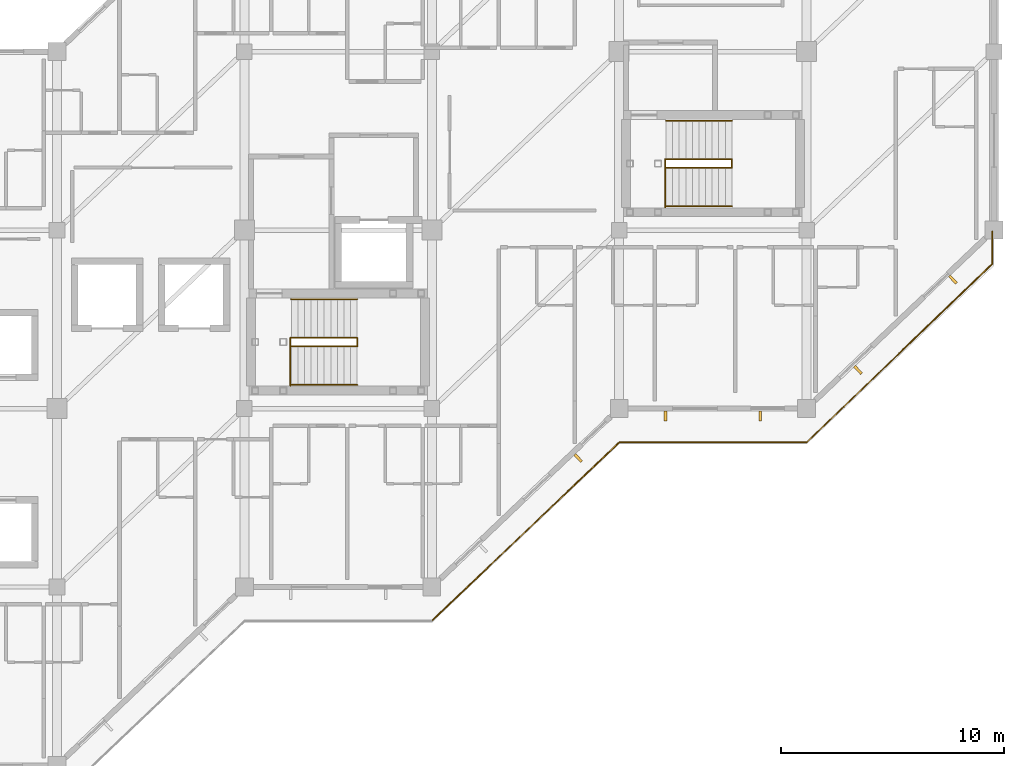
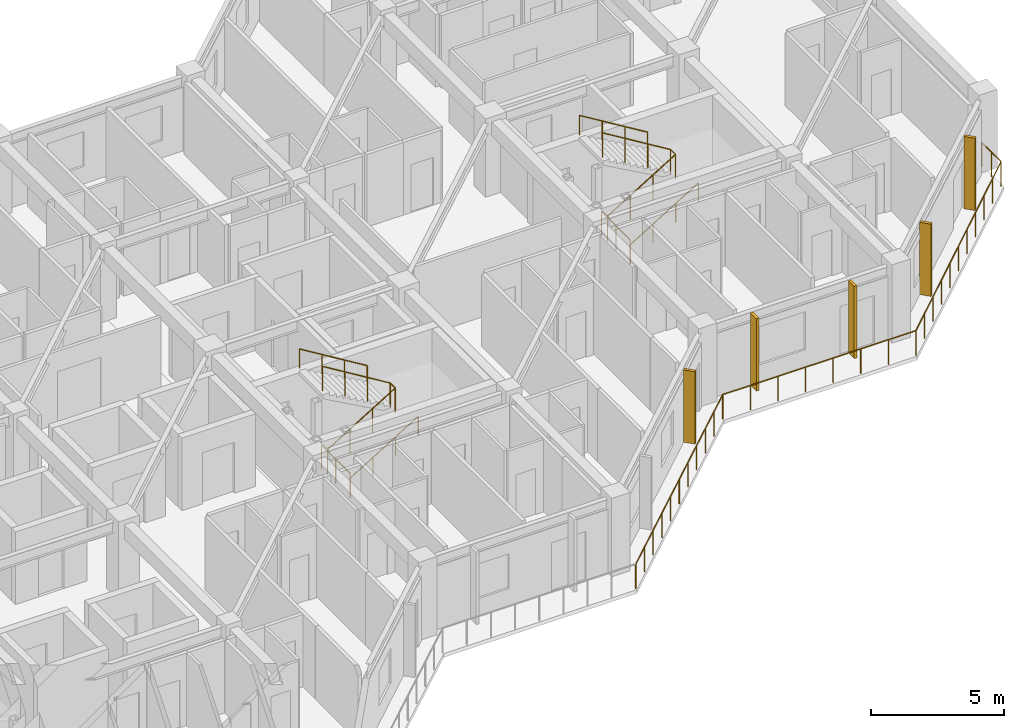
# One storey, part 17 of 17: 16 railings, 5 shading devices.
"""IFC4 building model written with IfcOpenShell, lengths in metres."""

import ifcopenshell
import ifcopenshell.guid

model = None  # the IFC model being written
_history = None  # IfcOwnerHistory: only IFC2X3 demands one
_inside = {}  # id of a spatial element -> (the spatial element, [elements in it])
_under = {}  # id of a project, library or spatial element -> (it, [spatial elements below it])
_declared = {}  # id of a project -> (the project, [libraries it declares])
_typed = {}  # id of a type object -> (the type object, [elements of that type])
_made_of = {}  # id of a material, layer set ... -> (it, [elements and type objects made of it])


def new_model(schema):
    """Start an empty IFC model of exactly this schema.

    Asked for "IFC4X3", IfcOpenShell would pick the latest addendum, in which some entities
    have other attributes; the version numbers below select the first issue.
    IFC2X3 requires an IfcOwnerHistory on every rooted entity: one is made here for all.
    """
    global model, _history
    if schema == "IFC4X3":
        model = ifcopenshell.file(schema_version=(4, 3, 0, 0))
    else:
        model = ifcopenshell.file(schema=schema)
    _inside.clear()
    _under.clear()
    _declared.clear()
    _typed.clear()
    _made_of.clear()
    _history = None
    if model.schema == "IFC2X3":
        org = make("IfcOrganization", Name="unknown")
        user = make(
            "IfcPersonAndOrganization",
            ThePerson=make("IfcPerson", FamilyName="unknown"),
            TheOrganization=org,
        )
        app = make(
            "IfcApplication",
            ApplicationDeveloper=org,
            Version="unknown",
            ApplicationFullName="unknown",
            ApplicationIdentifier="unknown",
        )
        _history = make(
            "IfcOwnerHistory",
            OwningUser=user,
            OwningApplication=app,
            ChangeAction="ADDED",
            CreationDate=0,
        )
    return model


def make(cls, **values):
    """One entity of the class cls with the attributes given. An attribute that is None is left unset."""
    return model.create_entity(
        cls, **{name: value for name, value in values.items() if value is not None}
    )


def rooted(cls, **values):
    """An entity with a GlobalId (a new one), such as an element, a storey or a relation."""
    return make(cls, GlobalId=ifcopenshell.guid.new(), OwnerHistory=_history, **values)


def si_unit(unit_type, name, prefix=None):
    """IfcSIUnit, for example si_unit("LENGTHUNIT", "METRE", prefix="MILLI")."""
    return make("IfcSIUnit", UnitType=unit_type, Prefix=prefix, Name=name)


def assignment(units):
    """IfcUnitAssignment: the units of a project."""
    return None if units is None else make("IfcUnitAssignment", Units=units)


def point(xyz):
    """IfcCartesianPoint."""
    return None if xyz is None else make("IfcCartesianPoint", Coordinates=xyz)


def direction(xyz):
    """IfcDirection."""
    return None if xyz is None else make("IfcDirection", DirectionRatios=xyz)


def frame(location, z_axis=None, x_axis=None):
    """IfcAxis2Placement3D, a coordinate frame: its origin and axes. An axis left out is left unset."""
    return make(
        "IfcAxis2Placement3D",
        Location=point(location),
        Axis=direction(z_axis),
        RefDirection=direction(x_axis),
    )


def frame_2d(location, x_axis=None):
    """IfcAxis2Placement2D, a coordinate frame in the plane: its origin and x axis."""
    return make(
        "IfcAxis2Placement2D", Location=point(location), RefDirection=direction(x_axis)
    )


def origin():
    """The frame at (0, 0, 0) with its axes left unset."""
    return frame((0.0, 0.0, 0.0))


def origin_2d():
    """The frame at (0, 0) in the plane with its x axis left unset."""
    return frame_2d((0.0, 0.0))


def place(relative_to, where):
    """IfcLocalPlacement: puts the frame where relative to a parent placement (None: the world)."""
    return make(
        "IfcLocalPlacement", PlacementRelTo=relative_to, RelativePlacement=where
    )


def context(
    kind, dimensions, precision=None, world=None, true_north=None, identifier=None
):
    """IfcGeometricRepresentationContext, for example the 3D "Model" context."""
    return make(
        "IfcGeometricRepresentationContext",
        ContextIdentifier=identifier,
        ContextType=kind,
        CoordinateSpaceDimension=dimensions,
        Precision=precision,
        WorldCoordinateSystem=world,
        TrueNorth=true_north,
    )


def subcontext(parent, identifier, kind, view, scale=None):
    """IfcGeometricRepresentationSubContext, for example "Body" below "Model"."""
    return make(
        "IfcGeometricRepresentationSubContext",
        ContextIdentifier=identifier,
        ContextType=kind,
        ParentContext=parent,
        TargetScale=scale,
        TargetView=view,
    )


def project(units=None, contexts=None):
    """IfcProject with its units and contexts."""
    return rooted(
        "IfcProject",
        Name="project",
        RepresentationContexts=contexts,
        UnitsInContext=assignment(units),
    )


def spatial(cls, under=None, at=None, **own):
    """A site, building, storey or space (cls), placed at a placement, below another one or the project."""
    s = rooted(cls, ObjectPlacement=at, **own)
    if under is not None:
        _under.setdefault(under.id(), (under, []))[1].append(s)
    return s


def profile(cls, at=None, kind="AREA", **sizes):
    """A parametric profile (cls). Its sizes go by their IFC names, for example OverallWidth=200.0."""
    return make(cls, ProfileType=kind, Position=at, **sizes)


def rectangle(**sizes):
    """IfcRectangleProfileDef."""
    return profile("IfcRectangleProfileDef", **sizes)


def circle(**sizes):
    """IfcCircleProfileDef."""
    return profile("IfcCircleProfileDef", **sizes)


def extrude(swept, where, along, depth):
    """IfcExtrudedAreaSolid: the profile swept, set in the frame where, extruded along a direction by depth."""
    return make(
        "IfcExtrudedAreaSolid",
        SweptArea=swept,
        Position=where,
        ExtrudedDirection=direction(along),
        Depth=depth,
    )


def shape(context_of_items, identifier, shape_type, items):
    """IfcShapeRepresentation: the items that make up one representation, for example the "Body"."""
    return make(
        "IfcShapeRepresentation",
        ContextOfItems=context_of_items,
        RepresentationIdentifier=identifier,
        RepresentationType=shape_type,
        Items=items,
    )


def material(Name=None, Category=None):
    """IfcMaterial."""
    return make("IfcMaterial", Name=Name, Category=Category)


def layer(
    of_material, thickness, ventilated=None, Name=None, Category=None, Priority=None
):
    """IfcMaterialLayer: one layer of a wall or slab, of a material (None: an air gap)."""
    return make(
        "IfcMaterialLayer",
        Material=of_material,
        LayerThickness=thickness,
        IsVentilated=ventilated,
        Name=Name,
        Category=Category,
        Priority=Priority,
    )


def layer_set(layers, Name=None):
    """IfcMaterialLayerSet."""
    return make("IfcMaterialLayerSet", MaterialLayers=layers, LayerSetName=Name)


def made_of(thing, what):
    """Note that an element or type object is made of a material, layer set ...; save() writes the relation."""
    if what is not None:
        _made_of.setdefault(what.id(), (what, []))[1].append(thing)
    return thing


def type_object(cls, material=None, **own):
    """A type object (cls), such as IfcWallType, which elements share."""
    return made_of(rooted(cls, **own), material)


def element(
    cls,
    number,
    at=None,
    inside=None,
    cuts=None,
    type_object=None,
    material=None,
    context=None,
    identifier="Body",
    shape_type=None,
    held_by="IfcProductDefinitionShape",
    body=None,
    shapes=None,
    **own,
):
    """One element of the class cls, such as IfcWall. Its Tag is "e" and its number.

    at: its placement. inside: the storey or other place that contains it. cuts: it is an
    opening in that element (IfcRelVoidsElement). A single representation is given by context,
    identifier, shape_type and body (its items); several are given by shapes. held_by: the class
    of the entity that holds the representations. save() writes the other relations.
    """
    e = rooted(cls, Tag="e%d" % number, ObjectPlacement=at, **own)
    if body is not None:
        shapes = [shape(context, identifier, shape_type, body)]
    if shapes is not None:
        e.Representation = make(held_by, Representations=shapes)
    if inside is not None:
        _inside.setdefault(inside.id(), (inside, []))[1].append(e)
    if cuts is not None:
        rooted(
            "IfcRelVoidsElement", RelatingBuildingElement=cuts, RelatedOpeningElement=e
        )
    if type_object is not None:
        _typed.setdefault(type_object.id(), (type_object, []))[1].append(e)
    return made_of(e, material)


def aggregate(whole, parts):
    """IfcRelAggregates: a whole, such as a stair, and the parts it consists of."""
    return rooted("IfcRelAggregates", RelatingObject=whole, RelatedObjects=parts)


def save(model, path):
    """Write the relations noted so far, then the file.

    IfcRelAggregates (storeys below a building ...), IfcRelContainedInSpatialStructure (elements
    in a storey), IfcRelDefinesByType, IfcRelAssociatesMaterial and IfcRelDeclares: one each for
    every whole, place, type object, material and project.
    """
    for whole, parts in _under.values():
        aggregate(whole, parts)
    for where, things in _inside.values():
        rooted(
            "IfcRelContainedInSpatialStructure",
            RelatedElements=things,
            RelatingStructure=where,
        )
    for kind, things in _typed.values():
        rooted("IfcRelDefinesByType", RelatedObjects=things, RelatingType=kind)
    for what, things in _made_of.values():
        rooted("IfcRelAssociatesMaterial", RelatedObjects=things, RelatingMaterial=what)
    for by, libraries in _declared.values():
        rooted("IfcRelDeclares", RelatingContext=by, RelatedDefinitions=libraries)
    model.write(path)


model = new_model("IFC4")

# Units and contexts
model_context = context("Model", 3, precision=1e-05, world=origin(), true_north=direction((0.0, 1.0)))
body_context = subcontext(model_context, "Body", "Model", "MODEL_VIEW")
ifc_project = project(units=[si_unit("LENGTHUNIT", "METRE"), si_unit("AREAUNIT", "SQUARE_METRE"), si_unit("VOLUMEUNIT", "CUBIC_METRE"), si_unit("PLANEANGLEUNIT", "RADIAN"), si_unit("MASSUNIT", "GRAM", prefix="KILO")], contexts=[model_context])

# Site, building, storey
site_placement = place(None, origin())
site = spatial("IfcSite", under=ifc_project, at=site_placement, CompositionType="ELEMENT")
building_placement = place(site_placement, origin())
building = spatial("IfcBuilding", under=site, at=building_placement, Name="Naruveol Harbour Congress Hotel", CompositionType="ELEMENT")
storey_placement = place(building_placement, frame((0.0, 0.0, 25.199951171875)))
storey = spatial("IfcBuildingStorey", under=building, at=storey_placement, Name="L05", CompositionType="ELEMENT", Elevation=25.199951171875)

# Railings
ifc_material_1 = material(Name="Tempered Laminated Safety Glass & Stainless Steel", Category="steel")
ifc_layer_1 = layer(ifc_material_1, 0.06005859375)
ifc_layer_set_1 = layer_set([ifc_layer_1], Name="Tempered Laminated Safety Glass & Stainless Steel")
railing_type_1 = type_object("IfcRailingType", Name="LAMINATED GLASS TERRACE BALUSTRADE 1150", PredefinedType="BALUSTRADE", material=ifc_layer_set_1)
railing_1_placement = place(storey_placement, frame((159.60009765625, 6.47998046875, 0.0)))
element("IfcRailing", 1, at=railing_1_placement, inside=storey, type_object=railing_type_1, Name="L05 Harbour balcony balustrade #84", PredefinedType="BALUSTRADE", context=body_context, shape_type="SweptSolid", body=[
    extrude(circle(Radius=0.02392578125, at=origin_2d()), frame((0.0, 0.0, 1.1259765625), z_axis=(0.724133926887, 0.689659376744, 0.0), x_axis=(-0.689659376744, 0.724133926887, 0.0)), (0.0, 0.0, 1.0), 11.599853515625),
    extrude(circle(Radius=0.02099609375, at=origin_2d()), origin(), (0.0, 0.0, 1.0), 1.101806640625),
    extrude(circle(Radius=0.02099609375, at=origin_2d()), frame((0.840087890625, 0.800048828125, 0.0)), (0.0, 0.0, 1.0), 1.101806640625),
    extrude(circle(Radius=0.02099609375, at=origin_2d()), frame((1.679931640625, 1.60009765625, 0.0)), (0.0, 0.0, 1.0), 1.101806640625),
    extrude(circle(Radius=0.02099609375, at=origin_2d()), frame((2.52001953125, 2.39990234375, 0.0)), (0.0, 0.0, 1.0), 1.101806640625),
    extrude(circle(Radius=0.02099609375, at=origin_2d()), frame((3.35986328125, 3.199951171875, 0.0)), (0.0, 0.0, 1.0), 1.101806640625),
    extrude(circle(Radius=0.02099609375, at=origin_2d()), frame((4.199951171875, 4.0, 0.0)), (0.0, 0.0, 1.0), 1.101806640625),
    extrude(circle(Radius=0.02099609375, at=origin_2d()), frame((5.0400390625, 4.800048828125, 0.0)), (0.0, 0.0, 1.0), 1.101806640625),
    extrude(circle(Radius=0.02099609375, at=origin_2d()), frame((5.8798828125, 5.60009765625, 0.0)), (0.0, 0.0, 1.0), 1.101806640625),
    extrude(circle(Radius=0.02099609375, at=origin_2d()), frame((6.719970703125, 6.39990234375, 0.0)), (0.0, 0.0, 1.0), 1.101806640625),
    extrude(circle(Radius=0.02099609375, at=origin_2d()), frame((7.559814453125, 7.199951171875, 0.0)), (0.0, 0.0, 1.0), 1.101806640625),
    extrude(circle(Radius=0.02099609375, at=origin_2d()), frame((8.39990234375, 8.0, 0.0)), (0.0, 0.0, 1.0), 1.101806640625),
])
railing_2_placement = place(storey_placement, frame((168.0, 14.47998046875, 0.0)))
element("IfcRailing", 2, at=railing_2_placement, inside=storey, type_object=railing_type_1, Name="L05 Harbour balcony balustrade #85", PredefinedType="BALUSTRADE", context=body_context, shape_type="SweptSolid", body=[
    extrude(circle(Radius=0.02392578125, at=origin_2d()), frame((0.0, 0.0, 1.1259765625), z_axis=(1.0, 0.0, 0.0), x_axis=(0.0, 1.0, 0.0)), (0.0, 0.0, 1.0), 8.39990234375),
    extrude(circle(Radius=0.02099609375, at=origin_2d()), origin(), (0.0, 0.0, 1.0), 1.101806640625),
    extrude(circle(Radius=0.02099609375, at=origin_2d()), frame((1.199951171875, 0.0, 0.0)), (0.0, 0.0, 1.0), 1.101806640625),
    extrude(circle(Radius=0.02099609375, at=origin_2d()), frame((2.39990234375, 0.0, 0.0)), (0.0, 0.0, 1.0), 1.101806640625),
    extrude(circle(Radius=0.02099609375, at=origin_2d()), frame((3.599853515625, 0.0, 0.0)), (0.0, 0.0, 1.0), 1.101806640625),
    extrude(circle(Radius=0.02099609375, at=origin_2d()), frame((4.800048828125, 0.0, 0.0)), (0.0, 0.0, 1.0), 1.101806640625),
    extrude(circle(Radius=0.02099609375, at=origin_2d()), frame((6.0, 0.0, 0.0)), (0.0, 0.0, 1.0), 1.101806640625),
    extrude(circle(Radius=0.02099609375, at=origin_2d()), frame((7.199951171875, 0.0, 0.0)), (0.0, 0.0, 1.0), 1.101806640625),
    extrude(circle(Radius=0.02099609375, at=origin_2d()), frame((8.39990234375, 0.0, 0.0)), (0.0, 0.0, 1.0), 1.101806640625),
])
railing_3_placement = place(storey_placement, frame((176.39990234375, 14.47998046875, 0.0)))
element("IfcRailing", 3, at=railing_3_placement, inside=storey, type_object=railing_type_1, Name="L05 Harbour balcony balustrade #86", PredefinedType="BALUSTRADE", context=body_context, shape_type="SweptSolid", body=[
    extrude(circle(Radius=0.02392578125, at=origin_2d()), frame((0.0, 0.0, 1.1259765625), z_axis=(0.72083591008, 0.693105757255, 0.0), x_axis=(-0.693105757255, 0.72083591008, 0.0)), (0.0, 0.0, 1.0), 11.542236328125),
    extrude(circle(Radius=0.02099609375, at=origin_2d()), origin(), (0.0, 0.0, 1.0), 1.101806640625),
    extrude(circle(Radius=0.02099609375, at=origin_2d()), frame((0.83203125, 0.800048828125, 0.0)), (0.0, 0.0, 1.0), 1.101806640625),
    extrude(circle(Radius=0.02099609375, at=origin_2d()), frame((1.6640625, 1.60009765625, 0.0)), (0.0, 0.0, 1.0), 1.101806640625),
    extrude(circle(Radius=0.02099609375, at=origin_2d()), frame((2.49609375, 2.39990234375, 0.0)), (0.0, 0.0, 1.0), 1.101806640625),
    extrude(circle(Radius=0.02099609375, at=origin_2d()), frame((3.328125, 3.199951171875, 0.0)), (0.0, 0.0, 1.0), 1.101806640625),
    extrude(circle(Radius=0.02099609375, at=origin_2d()), frame((4.16015625, 4.0, 0.0)), (0.0, 0.0, 1.0), 1.101806640625),
    extrude(circle(Radius=0.02099609375, at=origin_2d()), frame((4.991943359375, 4.800048828125, 0.0)), (0.0, 0.0, 1.0), 1.101806640625),
    extrude(circle(Radius=0.02099609375, at=origin_2d()), frame((5.823974609375, 5.60009765625, 0.0)), (0.0, 0.0, 1.0), 1.101806640625),
    extrude(circle(Radius=0.02099609375, at=origin_2d()), frame((6.656005859375, 6.39990234375, 0.0)), (0.0, 0.0, 1.0), 1.101806640625),
    extrude(circle(Radius=0.02099609375, at=origin_2d()), frame((7.488037109375, 7.199951171875, 0.0)), (0.0, 0.0, 1.0), 1.101806640625),
    extrude(circle(Radius=0.02099609375, at=origin_2d()), frame((8.320068359375, 8.0, 0.0)), (0.0, 0.0, 1.0), 1.101806640625),
])
railing_4_placement = place(storey_placement, frame((184.719970703125, 22.47998046875, 0.0)))
element("IfcRailing", 4, at=railing_4_placement, inside=storey, type_object=railing_type_1, Name="L05 Harbour balcony balustrade #87", PredefinedType="BALUSTRADE", context=body_context, shape_type="SweptSolid", body=[
    extrude(circle(Radius=0.02392578125, at=origin_2d()), frame((0.0, 0.0, 1.1259765625), z_axis=(0.0, 1.0, 0.0), x_axis=(-1.0, 0.0, 0.0)), (0.0, 0.0, 1.0), 1.4599609375),
    extrude(circle(Radius=0.02099609375, at=origin_2d()), origin(), (0.0, 0.0, 1.0), 1.101806640625),
    extrude(circle(Radius=0.02099609375, at=origin_2d()), frame((0.0, 0.72998046875, 0.0)), (0.0, 0.0, 1.0), 1.101806640625),
    extrude(circle(Radius=0.02099609375, at=origin_2d()), frame((0.0, 1.4599609375, 0.0)), (0.0, 0.0, 1.0), 1.101806640625),
])

# Shading devices
ifc_material_2 = material(Name="Precast concrete C40/50", Category="concrete")
shading_device_type = type_object("IfcShadingDeviceType", Name="PRECAST VERTICAL BRISE SOLEIL FIN 120X450", PredefinedType="JALOUSIE", material=ifc_material_2)
for number, where, z_axis, x_axis, name in (
    (5, (166.162109375, 13.780029296875, 0.0), (0.0, 0.0, 1.0), (-0.724171861437, -0.689619543736, 0.0), "Precast brise-soleil fin BS-V450 #35"),
    (6, (174.327880859375, 15.659912109375, 0.0), (0.0, 0.0, 1.0), (-1.0, 0.0, 0.0), "Precast brise-soleil fin BS-V450 #37"),
    (7, (170.072021484375, 15.659912109375, 0.0), (0.0, 0.0, 1.0), (-1.0, 0.0, 0.0), "Precast brise-soleil fin BS-V450 #38"),
    (8, (182.9619140625, 21.780029296875, 0.0), (0.0, 0.0, 1.0), (-0.724171861437, -0.689619543736, 0.0), "Precast brise-soleil fin BS-V450 #39"),
    (9, (178.70703125, 17.72705078125, 0.0), (0.0, 0.0, 1.0), (-0.724171861437, -0.689619543736, 0.0), "Precast brise-soleil fin BS-V450 #40"),
):
    element("IfcShadingDevice", number, at=place(storey_placement, frame(where, z_axis=z_axis, x_axis=x_axis)), inside=storey, type_object=shading_device_type, Name=name, PredefinedType="JALOUSIE", context=body_context, shape_type="SweptSolid", body=[
        extrude(rectangle(XDim=0.1201171875, YDim=0.449951171875, at=origin_2d()), origin(), (0.0, 0.0, 1.0), 3.320068359375),
    ])

# Railings
ifc_material_3 = material(Name="Stainless Steel 304", Category="steel")
ifc_layer_2 = layer(ifc_material_3, 0.0419921875)
ifc_layer_set_2 = layer_set([ifc_layer_2], Name="Stainless Steel 304")
railing_type_2 = type_object("IfcRailingType", Name="STAIR WALL MOUNTED HANDRAIL 900", PredefinedType="HANDRAIL", material=ifc_layer_set_2)
railing_5_placement = place(storey_placement, frame((153.300048828125, 17.06005859375, 0.0)))
element("IfcRailing", 10, at=railing_5_placement, inside=storey, type_object=railing_type_2, Name="Stair ST2 L05 lower wall handrail", PredefinedType="HANDRAIL", context=body_context, shape_type="SweptSolid", body=[
    extrude(circle(Radius=0.02392578125, at=origin_2d()), frame((0.0, 0.0, 0.8759765625), z_axis=(0.85362916449, 0.0, 0.520881224016), x_axis=(0.0, 1.0, 0.0)), (0.0, 0.0, 1.0), 3.455810546875),
    extrude(circle(Radius=0.02099609375, at=origin_2d()), origin(), (0.0, 0.0, 1.0), 0.851806640625),
    extrude(circle(Radius=0.02099609375, at=origin_2d()), frame((0.9833984375, 0.0, 0.60009765625)), (0.0, 0.0, 1.0), 0.851806640625),
    extrude(circle(Radius=0.02099609375, at=origin_2d()), frame((1.966552734375, 0.0, 1.199951171875)), (0.0, 0.0, 1.0), 0.851806640625),
    extrude(circle(Radius=0.02099609375, at=origin_2d()), frame((2.949951171875, 0.0, 1.800048828125)), (0.0, 0.0, 1.0), 0.851806640625),
])
railing_6_placement = place(storey_placement, frame((156.25, 20.89990234375, 1.800048828125)))
element("IfcRailing", 11, at=railing_6_placement, inside=storey, type_object=railing_type_2, Name="Stair ST2 L05 upper wall handrail", PredefinedType="HANDRAIL", context=body_context, shape_type="SweptSolid", body=[
    extrude(circle(Radius=0.02392578125, at=origin_2d()), frame((0.0, 0.0, 0.8759765625), z_axis=(-0.85362916449, 0.0, 0.520881224016), x_axis=(0.0, -1.0, 0.0)), (0.0, 0.0, 1.0), 3.455810546875),
    extrude(circle(Radius=0.02099609375, at=origin_2d()), origin(), (0.0, 0.0, 1.0), 0.851806640625),
    extrude(circle(Radius=0.02099609375, at=origin_2d()), frame((-0.9833984375, 0.0, 0.60009765625)), (0.0, 0.0, 1.0), 0.851806640625),
    extrude(circle(Radius=0.02099609375, at=origin_2d()), frame((-1.966552734375, 0.0, 1.199951171875)), (0.0, 0.0, 1.0), 0.851806640625),
    extrude(circle(Radius=0.02099609375, at=origin_2d()), frame((-2.949951171875, 0.0, 1.800048828125)), (0.0, 0.0, 1.0), 0.851806640625),
])
railing_7_placement = place(storey_placement, frame((170.10009765625, 25.06005859375, 0.0)))
element("IfcRailing", 12, at=railing_7_placement, inside=storey, type_object=railing_type_2, Name="Stair ST4 L05 lower wall handrail", PredefinedType="HANDRAIL", context=body_context, shape_type="SweptSolid", body=[
    extrude(circle(Radius=0.02392578125, at=origin_2d()), frame((0.0, 0.0, 0.8759765625), z_axis=(0.85362916449, 0.0, 0.520881224016), x_axis=(0.0, 1.0, 0.0)), (0.0, 0.0, 1.0), 3.455810546875),
    extrude(circle(Radius=0.02099609375, at=origin_2d()), origin(), (0.0, 0.0, 1.0), 0.851806640625),
    extrude(circle(Radius=0.02099609375, at=origin_2d()), frame((0.9833984375, 0.0, 0.60009765625)), (0.0, 0.0, 1.0), 0.851806640625),
    extrude(circle(Radius=0.02099609375, at=origin_2d()), frame((1.966552734375, 0.0, 1.199951171875)), (0.0, 0.0, 1.0), 0.851806640625),
    extrude(circle(Radius=0.02099609375, at=origin_2d()), frame((2.949951171875, 0.0, 1.800048828125)), (0.0, 0.0, 1.0), 0.851806640625),
])
railing_8_placement = place(storey_placement, frame((173.050048828125, 28.89990234375, 1.800048828125)))
element("IfcRailing", 13, at=railing_8_placement, inside=storey, type_object=railing_type_2, Name="Stair ST4 L05 upper wall handrail", PredefinedType="HANDRAIL", context=body_context, shape_type="SweptSolid", body=[
    extrude(circle(Radius=0.02392578125, at=origin_2d()), frame((0.0, 0.0, 0.8759765625), z_axis=(-0.85362916449, 0.0, 0.520881224016), x_axis=(0.0, -1.0, 0.0)), (0.0, 0.0, 1.0), 3.455810546875),
    extrude(circle(Radius=0.02099609375, at=origin_2d()), origin(), (0.0, 0.0, 1.0), 0.851806640625),
    extrude(circle(Radius=0.02099609375, at=origin_2d()), frame((-0.9833984375, 0.0, 0.60009765625)), (0.0, 0.0, 1.0), 0.851806640625),
    extrude(circle(Radius=0.02099609375, at=origin_2d()), frame((-1.966552734375, 0.0, 1.199951171875)), (0.0, 0.0, 1.0), 0.851806640625),
    extrude(circle(Radius=0.02099609375, at=origin_2d()), frame((-2.949951171875, 0.0, 1.800048828125)), (0.0, 0.0, 1.0), 0.851806640625),
])
ifc_material_4 = material(Name="Steel SN490", Category="steel")
ifc_layer_3 = layer(ifc_material_4, 0.044921875)
ifc_layer_set_3 = layer_set([ifc_layer_3], Name="Steel SN490")
railing_type_3 = type_object("IfcRailingType", Name="STAIRWELL STEEL GUARDRAIL 1150", PredefinedType="GUARDRAIL", material=ifc_layer_set_3)
railing_9_placement = place(storey_placement, frame((153.300048828125, 18.7900390625, 0.0)))
element("IfcRailing", 14, at=railing_9_placement, inside=storey, type_object=railing_type_3, Name="Stair ST2 L05 lower well guard", PredefinedType="GUARDRAIL", context=body_context, shape_type="SweptSolid", body=[
    extrude(circle(Radius=0.02392578125, at=origin_2d()), frame((0.0, 0.0, 1.1259765625), z_axis=(0.85362916449, 0.0, 0.520881224016), x_axis=(0.0, 1.0, 0.0)), (0.0, 0.0, 1.0), 3.455810546875),
    extrude(circle(Radius=0.02099609375, at=origin_2d()), origin(), (0.0, 0.0, 1.0), 1.101806640625),
    extrude(circle(Radius=0.02099609375, at=origin_2d()), frame((0.9833984375, 0.0, 0.60009765625)), (0.0, 0.0, 1.0), 1.101806640625),
    extrude(circle(Radius=0.02099609375, at=origin_2d()), frame((1.966552734375, 0.0, 1.199951171875)), (0.0, 0.0, 1.0), 1.101806640625),
    extrude(circle(Radius=0.02099609375, at=origin_2d()), frame((2.949951171875, 0.0, 1.800048828125)), (0.0, 0.0, 1.0), 1.101806640625),
])
railing_10_placement = place(storey_placement, frame((156.25, 18.7900390625, 1.800048828125)))
element("IfcRailing", 15, at=railing_10_placement, inside=storey, type_object=railing_type_3, Name="Stair ST2 L05 half-landing slot guard", PredefinedType="GUARDRAIL", context=body_context, shape_type="SweptSolid", body=[
    extrude(circle(Radius=0.02392578125, at=origin_2d()), frame((0.0, 0.0, 1.1259765625), z_axis=(0.0, 1.0, 0.0), x_axis=(-1.0, 0.0, 0.0)), (0.0, 0.0, 1.0), 0.3798828125),
    extrude(circle(Radius=0.02099609375, at=origin_2d()), origin(), (0.0, 0.0, 1.0), 1.101806640625),
    extrude(circle(Radius=0.02099609375, at=origin_2d()), frame((0.0, 0.3798828125, 0.0)), (0.0, 0.0, 1.0), 1.101806640625),
])
railing_11_placement = place(storey_placement, frame((156.25, 19.169921875, 1.800048828125)))
element("IfcRailing", 16, at=railing_11_placement, inside=storey, type_object=railing_type_3, Name="Stair ST2 L05 upper well guard", PredefinedType="GUARDRAIL", context=body_context, shape_type="SweptSolid", body=[
    extrude(circle(Radius=0.02392578125, at=origin_2d()), frame((0.0, 0.0, 1.1259765625), z_axis=(-0.85362916449, 0.0, 0.520881224016), x_axis=(0.0, -1.0, 0.0)), (0.0, 0.0, 1.0), 3.455810546875),
    extrude(circle(Radius=0.02099609375, at=origin_2d()), origin(), (0.0, 0.0, 1.0), 1.101806640625),
    extrude(circle(Radius=0.02099609375, at=origin_2d()), frame((-0.9833984375, 0.0, 0.60009765625)), (0.0, 0.0, 1.0), 1.101806640625),
    extrude(circle(Radius=0.02099609375, at=origin_2d()), frame((-1.966552734375, 0.0, 1.199951171875)), (0.0, 0.0, 1.0), 1.101806640625),
    extrude(circle(Radius=0.02099609375, at=origin_2d()), frame((-2.949951171875, 0.0, 1.800048828125)), (0.0, 0.0, 1.0), 1.101806640625),
])
railing_12_placement = place(storey_placement, frame((153.260009765625, 17.02001953125, 0.0)))
element("IfcRailing", 17, at=railing_12_placement, inside=storey, type_object=railing_type_3, Name="Stair ST2 L05 landing well guard", PredefinedType="GUARDRAIL", context=body_context, shape_type="SweptSolid", body=[
    extrude(circle(Radius=0.02392578125, at=origin_2d()), frame((0.0, 0.0, 1.1259765625), z_axis=(0.0, 1.0, 0.0), x_axis=(-1.0, 0.0, 0.0)), (0.0, 0.0, 1.0), 2.14990234375),
    extrude(circle(Radius=0.02099609375, at=origin_2d()), origin(), (0.0, 0.0, 1.0), 1.101806640625),
    extrude(circle(Radius=0.02099609375, at=origin_2d()), frame((0.0, 1.074951171875, 0.0)), (0.0, 0.0, 1.0), 1.101806640625),
    extrude(circle(Radius=0.02099609375, at=origin_2d()), frame((0.0, 2.14990234375, 0.0)), (0.0, 0.0, 1.0), 1.101806640625),
])
railing_13_placement = place(storey_placement, frame((170.10009765625, 26.7900390625, 0.0)))
element("IfcRailing", 18, at=railing_13_placement, inside=storey, type_object=railing_type_3, Name="Stair ST4 L05 lower well guard", PredefinedType="GUARDRAIL", context=body_context, shape_type="SweptSolid", body=[
    extrude(circle(Radius=0.02392578125, at=origin_2d()), frame((0.0, 0.0, 1.1259765625), z_axis=(0.85362916449, 0.0, 0.520881224016), x_axis=(0.0, 1.0, 0.0)), (0.0, 0.0, 1.0), 3.455810546875),
    extrude(circle(Radius=0.02099609375, at=origin_2d()), origin(), (0.0, 0.0, 1.0), 1.101806640625),
    extrude(circle(Radius=0.02099609375, at=origin_2d()), frame((0.9833984375, 0.0, 0.60009765625)), (0.0, 0.0, 1.0), 1.101806640625),
    extrude(circle(Radius=0.02099609375, at=origin_2d()), frame((1.966552734375, 0.0, 1.199951171875)), (0.0, 0.0, 1.0), 1.101806640625),
    extrude(circle(Radius=0.02099609375, at=origin_2d()), frame((2.949951171875, 0.0, 1.800048828125)), (0.0, 0.0, 1.0), 1.101806640625),
])
railing_14_placement = place(storey_placement, frame((173.050048828125, 26.7900390625, 1.800048828125)))
element("IfcRailing", 19, at=railing_14_placement, inside=storey, type_object=railing_type_3, Name="Stair ST4 L05 half-landing slot guard", PredefinedType="GUARDRAIL", context=body_context, shape_type="SweptSolid", body=[
    extrude(circle(Radius=0.02392578125, at=origin_2d()), frame((0.0, 0.0, 1.1259765625), z_axis=(0.0, 1.0, 0.0), x_axis=(-1.0, 0.0, 0.0)), (0.0, 0.0, 1.0), 0.3798828125),
    extrude(circle(Radius=0.02099609375, at=origin_2d()), origin(), (0.0, 0.0, 1.0), 1.101806640625),
    extrude(circle(Radius=0.02099609375, at=origin_2d()), frame((0.0, 0.3798828125, 0.0)), (0.0, 0.0, 1.0), 1.101806640625),
])
railing_15_placement = place(storey_placement, frame((173.050048828125, 27.169921875, 1.800048828125)))
element("IfcRailing", 20, at=railing_15_placement, inside=storey, type_object=railing_type_3, Name="Stair ST4 L05 upper well guard", PredefinedType="GUARDRAIL", context=body_context, shape_type="SweptSolid", body=[
    extrude(circle(Radius=0.02392578125, at=origin_2d()), frame((0.0, 0.0, 1.1259765625), z_axis=(-0.85362916449, 0.0, 0.520881224016), x_axis=(0.0, -1.0, 0.0)), (0.0, 0.0, 1.0), 3.455810546875),
    extrude(circle(Radius=0.02099609375, at=origin_2d()), origin(), (0.0, 0.0, 1.0), 1.101806640625),
    extrude(circle(Radius=0.02099609375, at=origin_2d()), frame((-0.9833984375, 0.0, 0.60009765625)), (0.0, 0.0, 1.0), 1.101806640625),
    extrude(circle(Radius=0.02099609375, at=origin_2d()), frame((-1.966552734375, 0.0, 1.199951171875)), (0.0, 0.0, 1.0), 1.101806640625),
    extrude(circle(Radius=0.02099609375, at=origin_2d()), frame((-2.949951171875, 0.0, 1.800048828125)), (0.0, 0.0, 1.0), 1.101806640625),
])
railing_16_placement = place(storey_placement, frame((170.06005859375, 25.02001953125, 0.0)))
element("IfcRailing", 21, at=railing_16_placement, inside=storey, type_object=railing_type_3, Name="Stair ST4 L05 landing well guard", PredefinedType="GUARDRAIL", context=body_context, shape_type="SweptSolid", body=[
    extrude(circle(Radius=0.02392578125, at=origin_2d()), frame((0.0, 0.0, 1.1259765625), z_axis=(0.0, 1.0, 0.0), x_axis=(-1.0, 0.0, 0.0)), (0.0, 0.0, 1.0), 2.14990234375),
    extrude(circle(Radius=0.02099609375, at=origin_2d()), origin(), (0.0, 0.0, 1.0), 1.101806640625),
    extrude(circle(Radius=0.02099609375, at=origin_2d()), frame((0.0, 1.074951171875, 0.0)), (0.0, 0.0, 1.0), 1.101806640625),
    extrude(circle(Radius=0.02099609375, at=origin_2d()), frame((0.0, 2.14990234375, 0.0)), (0.0, 0.0, 1.0), 1.101806640625),
])

save(model, "model.ifc")
